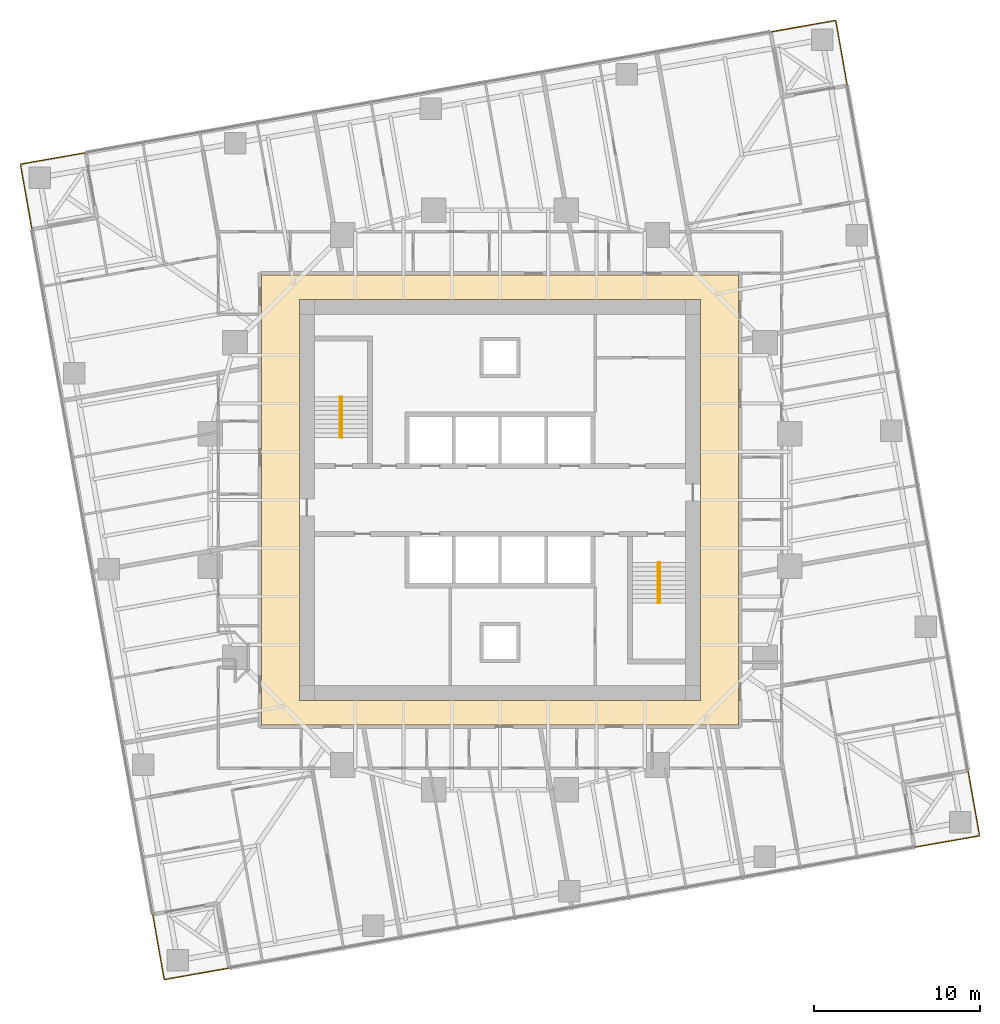
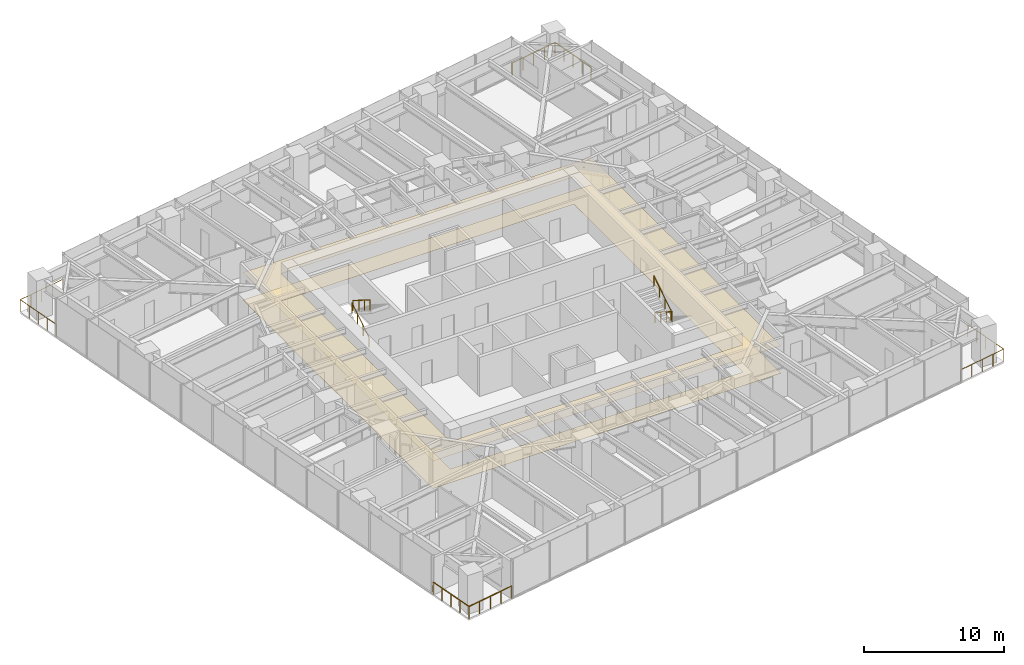
# One storey, part 14 of 14: 8 railings, 2 coverings, 2 elements without a shape of their own.
"""IFC4 building model written with IfcOpenShell, lengths in metres."""

from ifc_helpers import new_model, si_unit, direction, frame, origin, origin_2d, place, context, subcontext, project, spatial, polyline, circle, outline, extrude, material, layer, layer_set, type_object, element, aggregate, save


model = new_model("IFC4")

# Units and contexts
model_context = context("Model", 3, precision=1e-05, world=origin(), true_north=direction((0.0, 1.0)))
body_context = subcontext(model_context, "Body", "Model", "MODEL_VIEW")
ifc_project = project(units=[si_unit("LENGTHUNIT", "METRE"), si_unit("AREAUNIT", "SQUARE_METRE"), si_unit("VOLUMEUNIT", "CUBIC_METRE"), si_unit("PLANEANGLEUNIT", "RADIAN"), si_unit("MASSUNIT", "GRAM", prefix="KILO")], contexts=[model_context])

# Site, building, storey
site_placement = place(None, origin())
site = spatial("IfcSite", under=ifc_project, at=site_placement, CompositionType="ELEMENT")
building_placement = place(site_placement, origin())
building = spatial("IfcBuilding", under=site, at=building_placement, Name="Torsade Residences", CompositionType="ELEMENT")
storey_placement = place(building_placement, frame((0.0, 0.0, 96.39990234375)))
storey = spatial("IfcBuildingStorey", under=building, at=storey_placement, Name="L26", CompositionType="ELEMENT", Elevation=96.39990234375)

# Coverings
ifc_material_1 = material(Name="Nylon carpet tile on underlay", Category="textile")
ifc_layer_1 = layer(ifc_material_1, 0.010009765625)
ifc_layer_set_1 = layer_set([ifc_layer_1], Name="Nylon carpet tile on underlay")
covering_type_1 = type_object("IfcCoveringType", Name="CORRIDOR CARPET TILE 10", PredefinedType="FLOORING", material=ifc_layer_set_1)
covering_1_placement = place(storey_placement, origin())
element("IfcCovering", 1, at=covering_1_placement, inside=storey, type_object=covering_type_1, Name="Corridor carpet L26", PredefinedType="FLOORING", context=body_context, shape_type="SweptSolid", body=[
    extrude(outline(polyline([(54.39990234375, 16.39990234375), (54.39990234375, 43.60009765625), (25.60009765625, 43.60009765625), (25.60009765625, 16.39990234375), (54.39990234375, 16.39990234375)]), holes=[polyline([(52.10009765625, 42.10009765625), (27.89990234375, 42.10009765625), (27.89990234375, 17.89990234375), (52.10009765625, 17.89990234375), (52.10009765625, 42.10009765625)])]), origin(), (0.0, 0.0, 1.0), 0.010009765625),
])
ifc_material_2 = material(Name="Plasterboard on suspended steel grid", Category="steel")
ifc_layer_2 = layer(ifc_material_2, 0.012939453125)
ifc_layer_set_2 = layer_set([ifc_layer_2], Name="Plasterboard on suspended steel grid")
covering_type_2 = type_object("IfcCoveringType", Name="CORRIDOR SUSPENDED CEILING 13", PredefinedType="CEILING", material=ifc_layer_set_2)
covering_2_placement = place(storey_placement, frame((0.0, 0.0, 2.400146484375)))
element("IfcCovering", 2, at=covering_2_placement, inside=storey, type_object=covering_type_2, Name="Corridor ceiling L26", PredefinedType="CEILING", context=body_context, shape_type="SweptSolid", body=[
    extrude(outline(polyline([(54.39990234375, 16.39990234375), (54.39990234375, 43.60009765625), (25.60009765625, 43.60009765625), (25.60009765625, 16.39990234375), (54.39990234375, 16.39990234375)]), holes=[polyline([(52.10009765625, 42.10009765625), (27.89990234375, 42.10009765625), (27.89990234375, 17.89990234375), (52.10009765625, 17.89990234375), (52.10009765625, 42.10009765625)])]), origin(), (0.0, 0.0, 1.0), 0.012939453125),
])

# Stair, railings
ifc_material_3 = material(Name="Precast concrete 40 MPa", Category="concrete")
stair_type = type_object("IfcStairType", Name="HALF-TURN FIRE STAIR 1500x3400", PredefinedType="HALF_TURN_STAIR", material=ifc_material_3)
stair_1_placement = place(storey_placement, origin())
stair_1 = element("IfcStair", 3, at=stair_1_placement, inside=storey, type_object=stair_type, Name="Stair ST1 L26", PredefinedType="HALF_TURN_STAIR")
ifc_material_4 = material(Name="Steel handrail", Category="steel")
railing_type_1 = type_object("IfcRailingType", Name="STAIR HANDRAIL 900", PredefinedType="HANDRAIL", material=ifc_material_4)
railing_1_placement = place(storey_placement, frame((30.35009765625, 33.780029296875, 0.170166015625)))
railing_1 = element("IfcRailing", 4, at=railing_1_placement, type_object=railing_type_1, Name="Handrail ST1 flight 1 L26", PredefinedType="HANDRAIL", context=body_context, shape_type="SweptSolid", body=[
    extrude(circle(Radius=0.02392578125, at=origin_2d()), frame((0.0, 0.0, 0.8759765625), z_axis=(0.0, 0.846221481393, 0.532831309544), x_axis=(-1.0, 0.0, 0.0)), (0.0, 0.0, 1.0), 2.87158203125),
    extrude(circle(Radius=0.02099609375, at=origin_2d()), origin(), (0.0, 0.0, 1.0), 0.851806640625),
    extrude(circle(Radius=0.02099609375, at=origin_2d()), frame((0.0, 0.81005859375, 0.510009765625)), (0.0, 0.0, 1.0), 0.851806640625),
    extrude(circle(Radius=0.02099609375, at=origin_2d()), frame((0.0, 1.619873046875, 1.02001953125)), (0.0, 0.0, 1.0), 0.851806640625),
    extrude(circle(Radius=0.02099609375, at=origin_2d()), frame((0.0, 2.429931640625, 1.530029296875)), (0.0, 0.0, 1.0), 0.851806640625),
])
railing_2_placement = place(storey_placement, frame((30.449951171875, 36.2099609375, 1.8701171875)))
railing_2 = element("IfcRailing", 5, at=railing_2_placement, type_object=railing_type_1, Name="Handrail ST1 flight 2 L26", PredefinedType="HANDRAIL", context=body_context, shape_type="SweptSolid", body=[
    extrude(circle(Radius=0.02392578125, at=origin_2d()), frame((0.0, 0.0, 0.8759765625), z_axis=(0.0, -0.846221481393, 0.532831309544), x_axis=(1.0, 0.0, 0.0)), (0.0, 0.0, 1.0), 2.87158203125),
    extrude(circle(Radius=0.02099609375, at=origin_2d()), origin(), (0.0, 0.0, 1.0), 0.851806640625),
    extrude(circle(Radius=0.02099609375, at=origin_2d()), frame((0.0, -0.81005859375, 0.510009765625)), (0.0, 0.0, 1.0), 0.851806640625),
    extrude(circle(Radius=0.02099609375, at=origin_2d()), frame((0.0, -1.619873046875, 1.02001953125)), (0.0, 0.0, 1.0), 0.851806640625),
    extrude(circle(Radius=0.02099609375, at=origin_2d()), frame((0.0, -2.429931640625, 1.530029296875)), (0.0, 0.0, 1.0), 0.851806640625),
])
aggregate(stair_1, [railing_1, railing_2])

stair_2_placement = place(storey_placement, origin())
stair_2 = element("IfcStair", 6, at=stair_2_placement, inside=storey, type_object=stair_type, Name="Stair ST2 L26", PredefinedType="HALF_TURN_STAIR")
railing_3_placement = place(storey_placement, frame((49.64990234375, 26.219970703125, 0.170166015625)))
railing_3 = element("IfcRailing", 7, at=railing_3_placement, type_object=railing_type_1, Name="Handrail ST2 flight 1 L26", PredefinedType="HANDRAIL", context=body_context, shape_type="SweptSolid", body=[
    extrude(circle(Radius=0.02392578125, at=origin_2d()), frame((0.0, 0.0, 0.8759765625), z_axis=(0.0, -0.846221481393, 0.532831309544), x_axis=(1.0, 0.0, 0.0)), (0.0, 0.0, 1.0), 2.87158203125),
    extrude(circle(Radius=0.02099609375, at=origin_2d()), origin(), (0.0, 0.0, 1.0), 0.851806640625),
    extrude(circle(Radius=0.02099609375, at=origin_2d()), frame((0.0, -0.81005859375, 0.510009765625)), (0.0, 0.0, 1.0), 0.851806640625),
    extrude(circle(Radius=0.02099609375, at=origin_2d()), frame((0.0, -1.619873046875, 1.02001953125)), (0.0, 0.0, 1.0), 0.851806640625),
    extrude(circle(Radius=0.02099609375, at=origin_2d()), frame((0.0, -2.429931640625, 1.530029296875)), (0.0, 0.0, 1.0), 0.851806640625),
])
railing_4_placement = place(storey_placement, frame((49.550048828125, 23.7900390625, 1.8701171875)))
railing_4 = element("IfcRailing", 8, at=railing_4_placement, type_object=railing_type_1, Name="Handrail ST2 flight 2 L26", PredefinedType="HANDRAIL", context=body_context, shape_type="SweptSolid", body=[
    extrude(circle(Radius=0.02392578125, at=origin_2d()), frame((0.0, 0.0, 0.8759765625), z_axis=(0.0, 0.846221481393, 0.532831309544), x_axis=(-1.0, 0.0, 0.0)), (0.0, 0.0, 1.0), 2.87158203125),
    extrude(circle(Radius=0.02099609375, at=origin_2d()), origin(), (0.0, 0.0, 1.0), 0.851806640625),
    extrude(circle(Radius=0.02099609375, at=origin_2d()), frame((0.0, 0.81005859375, 0.510009765625)), (0.0, 0.0, 1.0), 0.851806640625),
    extrude(circle(Radius=0.02099609375, at=origin_2d()), frame((0.0, 1.619873046875, 1.02001953125)), (0.0, 0.0, 1.0), 0.851806640625),
    extrude(circle(Radius=0.02099609375, at=origin_2d()), frame((0.0, 2.429931640625, 1.530029296875)), (0.0, 0.0, 1.0), 0.851806640625),
])
aggregate(stair_2, [railing_3, railing_4])

# Railings
ifc_material_5 = material(Name="Laminated glass balustrade", Category="glass")
railing_type_2 = type_object("IfcRailingType", Name="TERRACE GLASS BALUSTRADE 1100", PredefinedType="BALUSTRADE", material=ifc_material_5)
railing_5_placement = place(storey_placement, frame((65.022216796875, 9.0263671875, 0.0)))
element("IfcRailing", 9, at=railing_5_placement, inside=storey, type_object=railing_type_2, Name="Terrace balustrade SE L26", PredefinedType="BALUSTRADE", context=body_context, shape_type="SweptSolid", body=[
    extrude(circle(Radius=0.02392578125, at=origin_2d()), frame((0.0, 0.0, 1.076171875), z_axis=(0.984808127031, 0.173646056486, 0.0), x_axis=(-0.173646056486, 0.984808127031, 0.0)), (0.0, 0.0, 1.0), 4.0),
    extrude(circle(Radius=0.02392578125, at=origin_2d()), frame((3.939208984375, 0.694580078125, 1.076171875), z_axis=(-0.173646056486, 0.984808127031, 0.0), x_axis=(-0.984808127031, -0.173646056486, 0.0)), (0.0, 0.0, 1.0), 4.0),
    extrude(circle(Radius=0.02099609375, at=origin_2d()), origin(), (0.0, 0.0, 1.0), 1.052001953125),
    extrude(circle(Radius=0.02099609375, at=origin_2d()), frame((0.98486328125, 0.173583984375, 0.0)), (0.0, 0.0, 1.0), 1.052001953125),
    extrude(circle(Radius=0.02099609375, at=origin_2d()), frame((1.9697265625, 0.34716796875, 0.0)), (0.0, 0.0, 1.0), 1.052001953125),
    extrude(circle(Radius=0.02099609375, at=origin_2d()), frame((2.954345703125, 0.52099609375, 0.0)), (0.0, 0.0, 1.0), 1.052001953125),
    extrude(circle(Radius=0.02099609375, at=origin_2d()), frame((3.939208984375, 0.694580078125, 0.0)), (0.0, 0.0, 1.0), 1.052001953125),
    extrude(circle(Radius=0.02099609375, at=origin_2d()), frame((3.765625, 1.679443359375, 0.0)), (0.0, 0.0, 1.0), 1.052001953125),
    extrude(circle(Radius=0.02099609375, at=origin_2d()), frame((3.591796875, 2.6640625, 0.0)), (0.0, 0.0, 1.0), 1.052001953125),
    extrude(circle(Radius=0.02099609375, at=origin_2d()), frame((3.418212890625, 3.64892578125, 0.0)), (0.0, 0.0, 1.0), 1.052001953125),
    extrude(circle(Radius=0.02099609375, at=origin_2d()), frame((3.24462890625, 4.6337890625, 0.0)), (0.0, 0.0, 1.0), 1.052001953125),
])
railing_6_placement = place(storey_placement, frame((60.9736328125, 55.022216796875, 0.0)))
element("IfcRailing", 10, at=railing_6_placement, inside=storey, type_object=railing_type_2, Name="Terrace balustrade NE L26", PredefinedType="BALUSTRADE", context=body_context, shape_type="SweptSolid", body=[
    extrude(circle(Radius=0.02392578125, at=origin_2d()), frame((0.0, 0.0, 1.076171875), z_axis=(-0.173646056486, 0.984808127031, 0.0), x_axis=(-0.984808127031, -0.173646056486, 0.0)), (0.0, 0.0, 1.0), 4.0),
    extrude(circle(Radius=0.02392578125, at=origin_2d()), frame((-0.694580078125, 3.939208984375, 1.076171875), z_axis=(-0.984808127031, -0.173646056486, 0.0), x_axis=(0.173646056486, -0.984808127031, 0.0)), (0.0, 0.0, 1.0), 4.0),
    extrude(circle(Radius=0.02099609375, at=origin_2d()), origin(), (0.0, 0.0, 1.0), 1.052001953125),
    extrude(circle(Radius=0.02099609375, at=origin_2d()), frame((-0.173583984375, 0.98486328125, 0.0)), (0.0, 0.0, 1.0), 1.052001953125),
    extrude(circle(Radius=0.02099609375, at=origin_2d()), frame((-0.34716796875, 1.9697265625, 0.0)), (0.0, 0.0, 1.0), 1.052001953125),
    extrude(circle(Radius=0.02099609375, at=origin_2d()), frame((-0.52099609375, 2.954345703125, 0.0)), (0.0, 0.0, 1.0), 1.052001953125),
    extrude(circle(Radius=0.02099609375, at=origin_2d()), frame((-0.694580078125, 3.939208984375, 0.0)), (0.0, 0.0, 1.0), 1.052001953125),
    extrude(circle(Radius=0.02099609375, at=origin_2d()), frame((-1.679443359375, 3.765625, 0.0)), (0.0, 0.0, 1.0), 1.052001953125),
    extrude(circle(Radius=0.02099609375, at=origin_2d()), frame((-2.6640625, 3.591796875, 0.0)), (0.0, 0.0, 1.0), 1.052001953125),
    extrude(circle(Radius=0.02099609375, at=origin_2d()), frame((-3.64892578125, 3.418212890625, 0.0)), (0.0, 0.0, 1.0), 1.052001953125),
    extrude(circle(Radius=0.02099609375, at=origin_2d()), frame((-4.6337890625, 3.24462890625, 0.0)), (0.0, 0.0, 1.0), 1.052001953125),
])
railing_7_placement = place(storey_placement, frame((14.977783203125, 50.9736328125, 0.0)))
element("IfcRailing", 11, at=railing_7_placement, inside=storey, type_object=railing_type_2, Name="Terrace balustrade NW L26", PredefinedType="BALUSTRADE", context=body_context, shape_type="SweptSolid", body=[
    extrude(circle(Radius=0.02392578125, at=origin_2d()), frame((0.0, 0.0, 1.076171875), z_axis=(-0.984808127031, -0.173646056486, 0.0), x_axis=(0.173646056486, -0.984808127031, 0.0)), (0.0, 0.0, 1.0), 4.0),
    extrude(circle(Radius=0.02392578125, at=origin_2d()), frame((-3.939208984375, -0.694580078125, 1.076171875), z_axis=(0.173646056486, -0.984808127031, 0.0), x_axis=(0.984808127031, 0.173646056486, 0.0)), (0.0, 0.0, 1.0), 4.0),
    extrude(circle(Radius=0.02099609375, at=origin_2d()), origin(), (0.0, 0.0, 1.0), 1.052001953125),
    extrude(circle(Radius=0.02099609375, at=origin_2d()), frame((-0.98486328125, -0.173583984375, 0.0)), (0.0, 0.0, 1.0), 1.052001953125),
    extrude(circle(Radius=0.02099609375, at=origin_2d()), frame((-1.9697265625, -0.34716796875, 0.0)), (0.0, 0.0, 1.0), 1.052001953125),
    extrude(circle(Radius=0.02099609375, at=origin_2d()), frame((-2.954345703125, -0.52099609375, 0.0)), (0.0, 0.0, 1.0), 1.052001953125),
    extrude(circle(Radius=0.02099609375, at=origin_2d()), frame((-3.939208984375, -0.694580078125, 0.0)), (0.0, 0.0, 1.0), 1.052001953125),
    extrude(circle(Radius=0.02099609375, at=origin_2d()), frame((-3.765625, -1.679443359375, 0.0)), (0.0, 0.0, 1.0), 1.052001953125),
    extrude(circle(Radius=0.02099609375, at=origin_2d()), frame((-3.591796875, -2.6640625, 0.0)), (0.0, 0.0, 1.0), 1.052001953125),
    extrude(circle(Radius=0.02099609375, at=origin_2d()), frame((-3.418212890625, -3.64892578125, 0.0)), (0.0, 0.0, 1.0), 1.052001953125),
    extrude(circle(Radius=0.02099609375, at=origin_2d()), frame((-3.24462890625, -4.6337890625, 0.0)), (0.0, 0.0, 1.0), 1.052001953125),
])
railing_8_placement = place(storey_placement, frame((19.0263671875, 4.977783203125, 0.0)))
element("IfcRailing", 12, at=railing_8_placement, inside=storey, type_object=railing_type_2, Name="Terrace balustrade SW L26", PredefinedType="BALUSTRADE", context=body_context, shape_type="SweptSolid", body=[
    extrude(circle(Radius=0.02392578125, at=origin_2d()), frame((0.0, 0.0, 1.076171875), z_axis=(0.173646056486, -0.984808127031, 0.0), x_axis=(0.984808127031, 0.173646056486, 0.0)), (0.0, 0.0, 1.0), 4.0),
    extrude(circle(Radius=0.02392578125, at=origin_2d()), frame((0.694580078125, -3.939208984375, 1.076171875), z_axis=(0.984808127031, 0.173646056486, 0.0), x_axis=(-0.173646056486, 0.984808127031, 0.0)), (0.0, 0.0, 1.0), 4.0),
    extrude(circle(Radius=0.02099609375, at=origin_2d()), origin(), (0.0, 0.0, 1.0), 1.052001953125),
    extrude(circle(Radius=0.02099609375, at=origin_2d()), frame((0.173583984375, -0.98486328125, 0.0)), (0.0, 0.0, 1.0), 1.052001953125),
    extrude(circle(Radius=0.02099609375, at=origin_2d()), frame((0.34716796875, -1.9697265625, 0.0)), (0.0, 0.0, 1.0), 1.052001953125),
    extrude(circle(Radius=0.02099609375, at=origin_2d()), frame((0.52099609375, -2.954345703125, 0.0)), (0.0, 0.0, 1.0), 1.052001953125),
    extrude(circle(Radius=0.02099609375, at=origin_2d()), frame((0.694580078125, -3.939208984375, 0.0)), (0.0, 0.0, 1.0), 1.052001953125),
    extrude(circle(Radius=0.02099609375, at=origin_2d()), frame((1.679443359375, -3.765625, 0.0)), (0.0, 0.0, 1.0), 1.052001953125),
    extrude(circle(Radius=0.02099609375, at=origin_2d()), frame((2.6640625, -3.591796875, 0.0)), (0.0, 0.0, 1.0), 1.052001953125),
    extrude(circle(Radius=0.02099609375, at=origin_2d()), frame((3.64892578125, -3.418212890625, 0.0)), (0.0, 0.0, 1.0), 1.052001953125),
    extrude(circle(Radius=0.02099609375, at=origin_2d()), frame((4.6337890625, -3.24462890625, 0.0)), (0.0, 0.0, 1.0), 1.052001953125),
])

save(model, "model.ifc")
